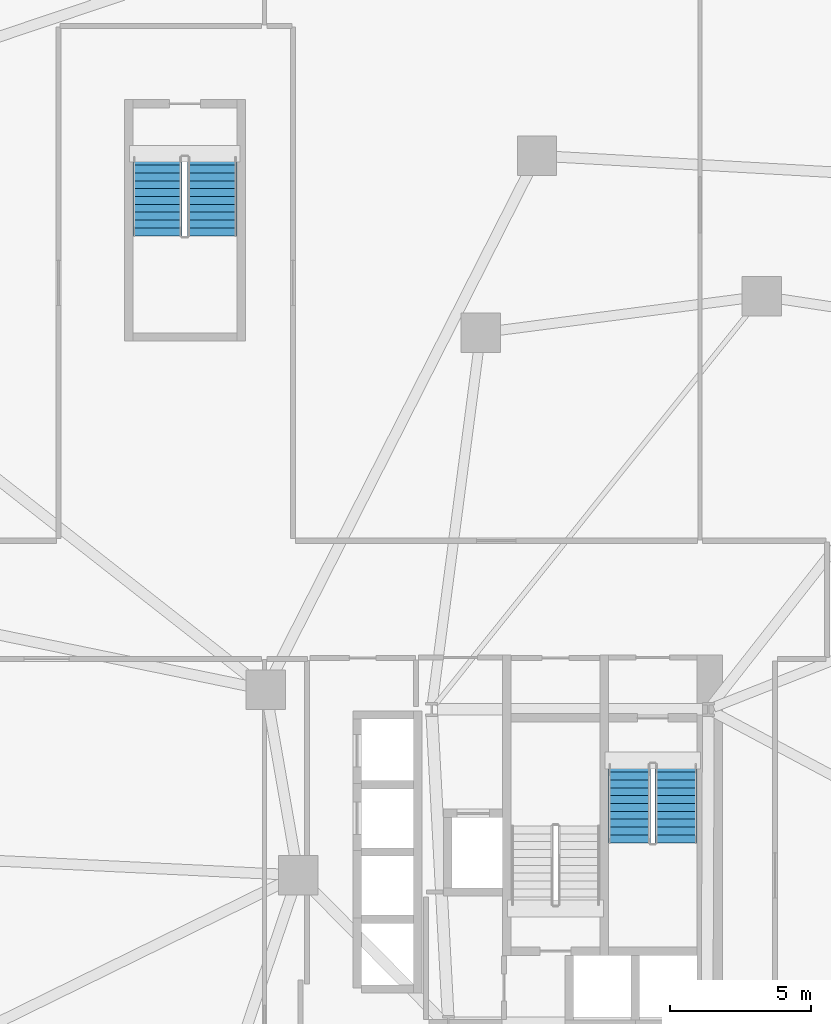
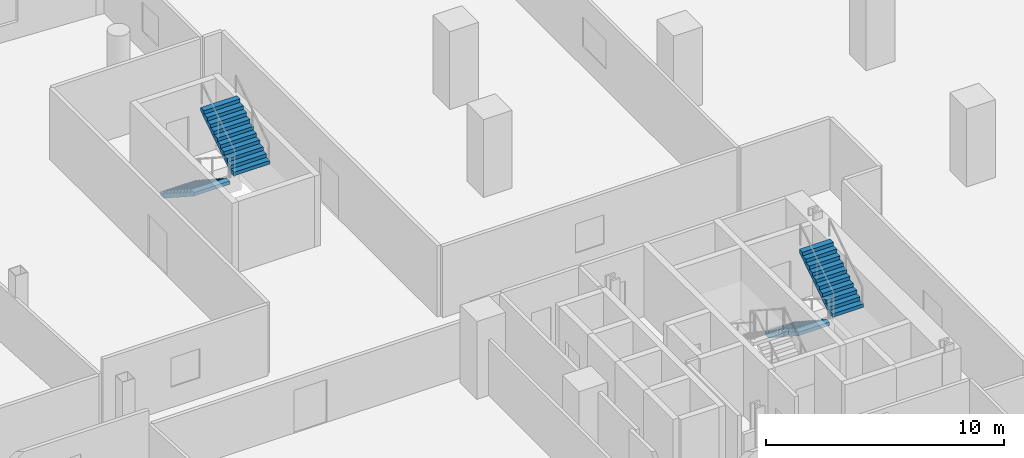
# One storey, part 17 of 19: 4 stair flights, 2 elements without a shape of their own.
"""IFC4 building model written with IfcOpenShell, lengths in metres."""

from ifc_helpers import new_model, si_unit, direction, frame, origin, place, context, subcontext, project, spatial, polyline, outline, extrude, material, type_object, element, aggregate, save


model = new_model("IFC4")

# Units and contexts
model_context = context("Model", 3, precision=1e-05, world=origin(), true_north=direction((0.0, 1.0)))
body_context = subcontext(model_context, "Body", "Model", "MODEL_VIEW")
ifc_project = project(units=[si_unit("LENGTHUNIT", "METRE"), si_unit("AREAUNIT", "SQUARE_METRE"), si_unit("VOLUMEUNIT", "CUBIC_METRE"), si_unit("PLANEANGLEUNIT", "RADIAN"), si_unit("MASSUNIT", "GRAM", prefix="KILO"), si_unit("THERMODYNAMICTEMPERATUREUNIT", "KELVIN"), si_unit("POWERUNIT", "WATT")], contexts=[model_context])

# Site, building, storey
site_placement = place(None, origin())
site = spatial("IfcSite", under=ifc_project, at=site_placement, CompositionType="ELEMENT")
building_placement = place(site_placement, origin())
building = spatial("IfcBuilding", under=site, at=building_placement, Name="Cundina Bronze Exchange", CompositionType="ELEMENT")
storey_placement = place(building_placement, frame((0.0, 0.0, 16.0)))
storey = spatial("IfcBuildingStorey", under=building, at=storey_placement, Name="L03", CompositionType="ELEMENT", Elevation=16.0)

# Stair, stair flights
ifc_material = material(Name="Concrete C40/50", Category="concrete")
stair_type_1 = type_object("IfcStairType", Name="STR-CON-600", PredefinedType="STRAIGHT_RUN_STAIR", material=ifc_material)
stair_1_placement = place(storey_placement, origin())
stair_1 = element("IfcStair", 1, at=stair_1_placement, inside=storey, type_object=stair_type_1, Name="L03 Concourse Exchange Stair E", PredefinedType="HALF_TURN_STAIR")
stair_flight_type_1 = type_object("IfcStairFlightType", Name="FLG-CON-300", PredefinedType="STRAIGHT", material=ifc_material)
stair_flight_1_placement = place(storey_placement, frame((11.695068359375, 15.75, 0.0), z_axis=(0.0, 0.0, 1.0), x_axis=(0.0, -1.0, 0.0)))
stair_flight_1 = element("IfcStairFlight", 2, at=stair_flight_1_placement, type_object=stair_flight_type_1, Name="ST-PE flight 1", NumberOfRisers=11, NumberOfTreads=10, PredefinedType="STRAIGHT", RiserHeight=0.181818182, TreadLength=0.28, context=body_context, shape_type="SweptSolid", body=[
    extrude(outline(polyline([(0.0, 0.0), (0.0, 0.181884765625), (0.280029296875, 0.181884765625), (0.280029296875, 0.363525390625), (0.56005859375, 0.363525390625), (0.56005859375, 0.54541015625), (0.840087890625, 0.54541015625), (0.840087890625, 0.727294921875), (1.1201171875, 0.727294921875), (1.1201171875, 0.9091796875), (1.39990234375, 0.9091796875), (1.39990234375, 1.0908203125), (1.679931640625, 1.0908203125), (1.679931640625, 1.272705078125), (1.9599609375, 1.272705078125), (1.9599609375, 1.45458984375), (2.239990234375, 1.45458984375), (2.239990234375, 1.636474609375), (2.52001953125, 1.636474609375), (2.52001953125, 1.818115234375), (2.800048828125, 1.818115234375), (2.800048828125, 2.0), (2.800048828125, 1.639404296875), (0.275146484375, 0.0), (0.0, 0.0)])), frame((0.0, 0.875, 0.0), z_axis=(0.0, -1.0, 0.0), x_axis=(1.0, 0.0, 0.0)), (0.0, 0.0, 1.0), 1.75),
])
stair_flight_2_placement = place(storey_placement, frame((13.64501953125, 12.949951171875, 2.0), z_axis=(0.0, 0.0, 1.0), x_axis=(0.0, 1.0, 0.0)))
stair_flight_2 = element("IfcStairFlight", 3, at=stair_flight_2_placement, type_object=stair_flight_type_1, Name="ST-PE flight 2", NumberOfRisers=11, NumberOfTreads=10, PredefinedType="STRAIGHT", RiserHeight=0.181818182, TreadLength=0.28, context=body_context, shape_type="SweptSolid", body=[
    extrude(outline(polyline([(0.0, 0.0), (0.0, 0.181884765625), (0.280029296875, 0.181884765625), (0.280029296875, 0.363525390625), (0.56005859375, 0.363525390625), (0.56005859375, 0.54541015625), (0.840087890625, 0.54541015625), (0.840087890625, 0.727294921875), (1.1201171875, 0.727294921875), (1.1201171875, 0.9091796875), (1.39990234375, 0.9091796875), (1.39990234375, 1.0908203125), (1.679931640625, 1.0908203125), (1.679931640625, 1.272705078125), (1.9599609375, 1.272705078125), (1.9599609375, 1.45458984375), (2.239990234375, 1.45458984375), (2.239990234375, 1.636474609375), (2.52001953125, 1.636474609375), (2.52001953125, 1.818115234375), (2.800048828125, 1.818115234375), (2.800048828125, 2.0), (2.800048828125, 1.639404296875), (0.275146484375, 0.0), (0.0, 0.0)])), frame((0.0, 0.875, 0.0), z_axis=(0.0, -1.0, 0.0), x_axis=(1.0, 0.0, 0.0)), (0.0, 0.0, 1.0), 1.75),
])
aggregate(stair_1, [stair_flight_1, stair_flight_2])

stair_type_2 = type_object("IfcStairType", Name="STR-POD-400", PredefinedType="HALF_TURN_STAIR", material=ifc_material)
stair_2_placement = place(storey_placement, origin())
stair_2 = element("IfcStair", 4, at=stair_2_placement, inside=storey, type_object=stair_type_2, Name="L03 Smokeproof Exit Stair E1", PredefinedType="HALF_TURN_STAIR")
stair_flight_type_2 = type_object("IfcStairFlightType", Name="FLG-POD-200", PredefinedType="STRAIGHT", material=ifc_material)
stair_flight_3_placement = place(storey_placement, frame((28.489990234375, -5.85009765625, 0.0), z_axis=(0.0, 0.0, 1.0), x_axis=(0.0, -1.0, 0.0)))
stair_flight_3 = element("IfcStairFlight", 5, at=stair_flight_3_placement, type_object=stair_flight_type_2, Name="ST-E1 flight 1", NumberOfRisers=11, NumberOfTreads=10, PredefinedType="STRAIGHT", RiserHeight=0.181818182, TreadLength=0.28, context=body_context, shape_type="SweptSolid", body=[
    extrude(outline(polyline([(0.0, 0.0), (0.0, 0.181884765625), (0.280029296875, 0.181884765625), (0.280029296875, 0.363525390625), (0.56005859375, 0.363525390625), (0.56005859375, 0.54541015625), (0.840087890625, 0.54541015625), (0.840087890625, 0.727294921875), (1.1201171875, 0.727294921875), (1.1201171875, 0.9091796875), (1.39990234375, 0.9091796875), (1.39990234375, 1.0908203125), (1.679931640625, 1.0908203125), (1.679931640625, 1.272705078125), (1.9599609375, 1.272705078125), (1.9599609375, 1.45458984375), (2.239990234375, 1.45458984375), (2.239990234375, 1.636474609375), (2.52001953125, 1.636474609375), (2.52001953125, 1.818115234375), (2.800048828125, 1.818115234375), (2.800048828125, 2.0), (2.800048828125, 1.639404296875), (0.275146484375, 0.0), (0.0, 0.0)])), frame((0.0, 0.75, 0.0), z_axis=(0.0, -1.0, 0.0), x_axis=(1.0, 0.0, 0.0)), (0.0, 0.0, 1.0), 1.5),
])
stair_flight_4_placement = place(storey_placement, frame((30.14990234375, -8.64990234375, 2.0), z_axis=(0.0, 0.0, 1.0), x_axis=(0.0, 1.0, 0.0)))
stair_flight_4 = element("IfcStairFlight", 6, at=stair_flight_4_placement, type_object=stair_flight_type_2, Name="ST-E1 flight 2", NumberOfRisers=11, NumberOfTreads=10, PredefinedType="STRAIGHT", RiserHeight=0.181818182, TreadLength=0.28, context=body_context, shape_type="SweptSolid", body=[
    extrude(outline(polyline([(0.0, 0.0), (0.0, 0.181884765625), (0.280029296875, 0.181884765625), (0.280029296875, 0.363525390625), (0.56005859375, 0.363525390625), (0.56005859375, 0.54541015625), (0.840087890625, 0.54541015625), (0.840087890625, 0.727294921875), (1.1201171875, 0.727294921875), (1.1201171875, 0.9091796875), (1.39990234375, 0.9091796875), (1.39990234375, 1.0908203125), (1.679931640625, 1.0908203125), (1.679931640625, 1.272705078125), (1.9599609375, 1.272705078125), (1.9599609375, 1.45458984375), (2.239990234375, 1.45458984375), (2.239990234375, 1.636474609375), (2.52001953125, 1.636474609375), (2.52001953125, 1.818115234375), (2.800048828125, 1.818115234375), (2.800048828125, 2.0), (2.800048828125, 1.639404296875), (0.275146484375, 0.0), (0.0, 0.0)])), frame((0.0, 0.75, 0.0), z_axis=(0.0, -1.0, 0.0), x_axis=(1.0, 0.0, 0.0)), (0.0, 0.0, 1.0), 1.5),
])
aggregate(stair_2, [stair_flight_3, stair_flight_4])

save(model, "model.ifc")
